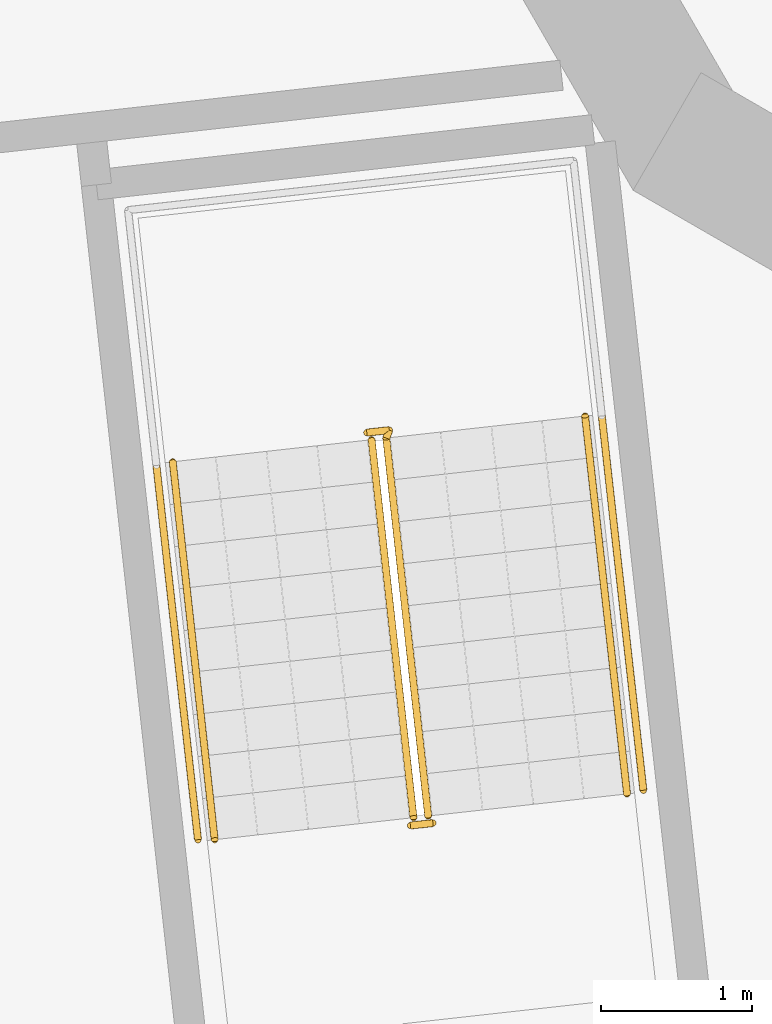
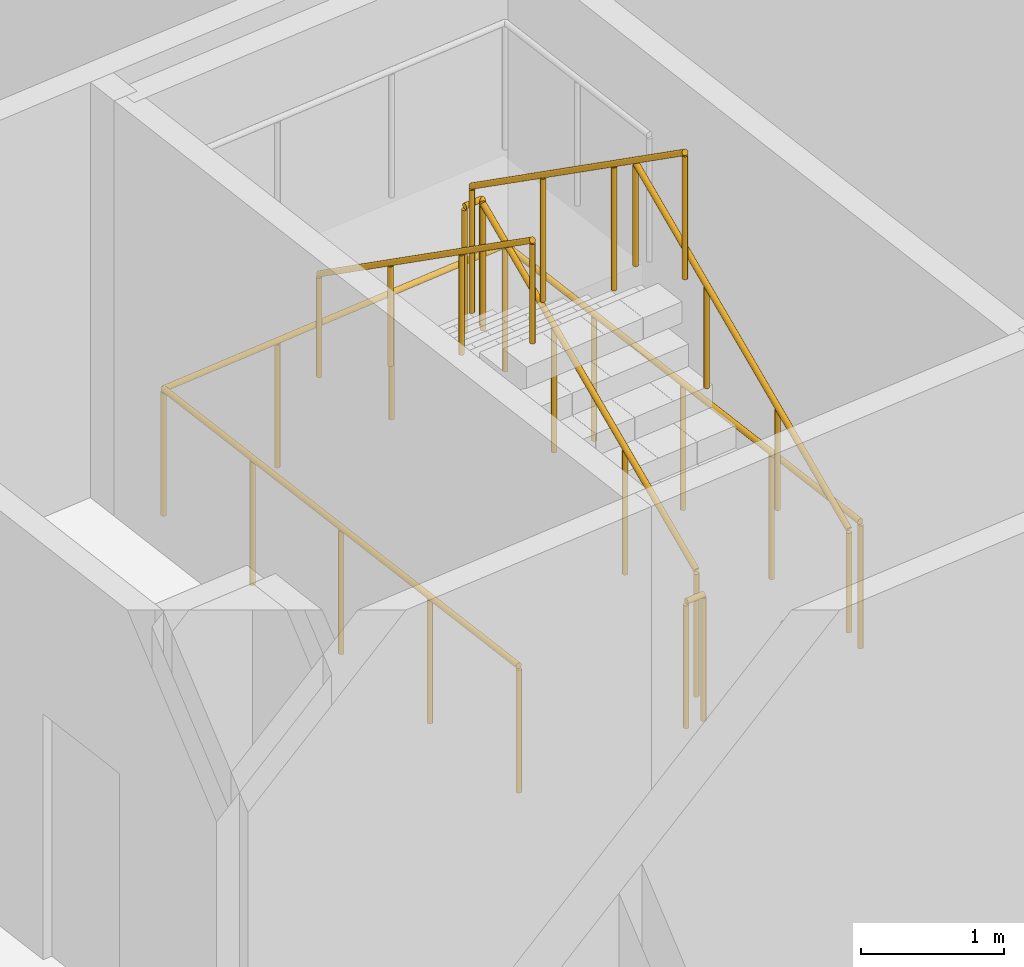
# One storey, part 12 of 20: 6 railings.
"""IFC4 building model written with IfcOpenShell, lengths in metres."""

from ifc_helpers import new_model, si_unit, direction, frame, origin, origin_2d, place, context, subcontext, project, spatial, circle, extrude, material, type_object, element, save


model = new_model("IFC4")

# Units and contexts
model_context = context("Model", 3, precision=1e-05, world=origin(), true_north=direction((0.0, 1.0)))
body_context = subcontext(model_context, "Body", "Model", "MODEL_VIEW")
ifc_project = project(units=[si_unit("LENGTHUNIT", "METRE"), si_unit("AREAUNIT", "SQUARE_METRE"), si_unit("VOLUMEUNIT", "CUBIC_METRE"), si_unit("PLANEANGLEUNIT", "RADIAN"), si_unit("MASSUNIT", "GRAM", prefix="KILO")], contexts=[model_context])

# Site, building, storey
site_placement = place(None, origin())
site = spatial("IfcSite", under=ifc_project, at=site_placement, CompositionType="ELEMENT")
building_placement = place(site_placement, origin())
building = spatial("IfcBuilding", under=site, at=building_placement, Name="Cantera Rosa Tower", CompositionType="ELEMENT")
storey_placement = place(building_placement, frame((0.0, 0.0, 42.5)))
storey = spatial("IfcBuildingStorey", under=building, at=storey_placement, Name="L07", CompositionType="ELEMENT", Elevation=42.5)

# Railings
ifc_material_1 = material(Name="Steel S355J2 (EN 10025-2)", Category="steel")
railing_type_1 = type_object("IfcRailingType", Name="STAIR GUARD 1100", PredefinedType="GUARDRAIL", material=ifc_material_1)
railing_1_placement = place(storey_placement, frame((-10.19677734375, -12.986083984375, 0.18994140625)))
element("IfcRailing", 1, at=railing_1_placement, inside=storey, type_object=railing_type_1, Name="L07 ST-13 stair guard 1", PredefinedType="GUARDRAIL", context=body_context, shape_type="SweptSolid", body=[
    extrude(circle(Radius=0.02392578125, at=origin_2d()), frame((0.0, 0.0, 1.076171875), z_axis=(-0.091310000343, 0.822431337597, 0.561488360321), x_axis=(-0.993893182753, -0.110346460196, 0.0)), (0.0, 0.0, 1.0), 3.04541015625),
    extrude(circle(Radius=0.02392578125, at=origin_2d()), frame((-0.278076171875, 2.504638671875, 2.7861328125), z_axis=(0.360141847183, 0.932897555956, 0.0), x_axis=(-0.932897555956, 0.360141847183, 0.0)), (0.0, 0.0, 1.0), 0.05615234375),
    extrude(circle(Radius=0.02392578125, at=origin_2d()), frame((-0.2578125, 2.55712890625, 2.7861328125), z_axis=(-0.994022053584, -0.109179471459, 0.0), x_axis=(0.109179471459, -0.994022053584, 0.0)), (0.0, 0.0, 1.0), 0.14990234375),
    extrude(circle(Radius=0.02099609375, at=origin_2d()), origin(), (0.0, 0.0, 1.0), 1.052001953125),
    extrude(circle(Radius=0.02099609375, at=origin_2d()), frame((-0.0927734375, 0.8349609375, 0.570068359375)), (0.0, 0.0, 1.0), 1.052001953125),
    extrude(circle(Radius=0.02099609375, at=origin_2d()), frame((-0.185302734375, 1.669677734375, 1.139892578125)), (0.0, 0.0, 1.0), 1.052001953125),
    extrude(circle(Radius=0.02099609375, at=origin_2d()), frame((-0.278076171875, 2.504638671875, 1.7099609375)), (0.0, 0.0, 1.0), 1.052001953125),
    extrude(circle(Radius=0.02099609375, at=origin_2d()), frame((-0.2578125, 2.55712890625, 1.7099609375)), (0.0, 0.0, 1.0), 1.052001953125),
    extrude(circle(Radius=0.02099609375, at=origin_2d()), frame((-0.40673828125, 2.540771484375, 1.7099609375)), (0.0, 0.0, 1.0), 1.052001953125),
])
railing_2_placement = place(storey_placement, frame((-10.572265625, -10.4921875, 2.090087890625)))
element("IfcRailing", 2, at=railing_2_placement, inside=storey, type_object=railing_type_1, Name="L07 ST-13 stair guard 2", PredefinedType="GUARDRAIL", context=body_context, shape_type="SweptSolid", body=[
    extrude(circle(Radius=0.02392578125, at=origin_2d()), frame((0.0, 0.0, 1.076171875), z_axis=(0.091310000343, -0.822431337597, 0.561488360321), x_axis=(0.993893182753, 0.110346460196, 0.0)), (0.0, 0.0, 1.0), 3.04541015625),
    extrude(circle(Radius=0.02099609375, at=origin_2d()), origin(), (0.0, 0.0, 1.0), 1.052001953125),
    extrude(circle(Radius=0.02099609375, at=origin_2d()), frame((0.0927734375, -0.8349609375, 0.570068359375)), (0.0, 0.0, 1.0), 1.052001953125),
    extrude(circle(Radius=0.02099609375, at=origin_2d()), frame((0.185302734375, -1.669677734375, 1.139892578125)), (0.0, 0.0, 1.0), 1.052001953125),
    extrude(circle(Radius=0.02099609375, at=origin_2d()), frame((0.278076171875, -2.504638671875, 1.7099609375)), (0.0, 0.0, 1.0), 1.052001953125),
])
railing_3_placement = place(storey_placement, frame((-10.16552734375, -13.032958984375, 0.0)))
element("IfcRailing", 3, at=railing_3_placement, inside=storey, type_object=railing_type_1, Name="L07 ST-13 stair guard 3", PredefinedType="GUARDRAIL", context=body_context, shape_type="SweptSolid", body=[
    extrude(circle(Radius=0.02392578125, at=origin_2d()), frame((0.0, 0.0, 1.076171875), z_axis=(-0.994041430915, -0.1090029065, 0.0), x_axis=(0.1090029065, -0.994041430915, 0.0)), (0.0, 0.0, 1.0), 0.150146484375),
    extrude(circle(Radius=0.02099609375, at=origin_2d()), origin(), (0.0, 0.0, 1.0), 1.052001953125),
    extrude(circle(Radius=0.02099609375, at=origin_2d()), frame((-0.149169921875, -0.016357421875, 0.0)), (0.0, 0.0, 1.0), 1.052001953125),
])
railing_4_placement = place(storey_placement, frame((-8.77099609375, -12.815673828125, 0.0)))
element("IfcRailing", 4, at=railing_4_placement, inside=storey, type_object=railing_type_1, Name="L07 ST-13 stair guard 4", PredefinedType="GUARDRAIL", context=body_context, shape_type="SweptSolid", body=[
    extrude(circle(Radius=0.02392578125, at=origin_2d()), frame((0.0, 0.0, 1.076171875), z_axis=(-0.110323013767, 0.9938957856, 0.0), x_axis=(-0.9938957856, -0.110323013767, 0.0)), (0.0, 0.0, 1.0), 4.197998046875),
    extrude(circle(Radius=0.02392578125, at=origin_2d()), frame((-0.463134765625, 4.17236328125, 1.076171875), z_axis=(-0.993896759678, -0.110314237986, 0.0), x_axis=(0.110314237986, -0.993896759678, 0.0)), (0.0, 0.0, 1.0), 2.969970703125),
    extrude(circle(Radius=0.02392578125, at=origin_2d()), frame((-3.4150390625, 3.8447265625, 1.076171875), z_axis=(0.110323013767, -0.9938957856, 0.0), x_axis=(0.9938957856, 0.110323013767, 0.0)), (0.0, 0.0, 1.0), 4.197998046875),
    extrude(circle(Radius=0.02099609375, at=origin_2d()), origin(), (0.0, 0.0, 1.0), 1.052001953125),
    extrude(circle(Radius=0.02099609375, at=origin_2d()), frame((-0.11572265625, 1.04296875, 0.0)), (0.0, 0.0, 1.0), 1.052001953125),
    extrude(circle(Radius=0.02099609375, at=origin_2d()), frame((-0.2314453125, 2.086181640625, 0.0)), (0.0, 0.0, 1.0), 1.052001953125),
    extrude(circle(Radius=0.02099609375, at=origin_2d()), frame((-0.347412109375, 3.12939453125, 0.0)), (0.0, 0.0, 1.0), 1.052001953125),
    extrude(circle(Radius=0.02099609375, at=origin_2d()), frame((-0.463134765625, 4.17236328125, 0.0)), (0.0, 0.0, 1.0), 1.052001953125),
    extrude(circle(Radius=0.02099609375, at=origin_2d()), frame((-1.447021484375, 4.063232421875, 0.0)), (0.0, 0.0, 1.0), 1.052001953125),
    extrude(circle(Radius=0.02099609375, at=origin_2d()), frame((-2.43115234375, 3.953857421875, 0.0)), (0.0, 0.0, 1.0), 1.052001953125),
    extrude(circle(Radius=0.02099609375, at=origin_2d()), frame((-3.4150390625, 3.8447265625, 0.0)), (0.0, 0.0, 1.0), 1.052001953125),
    extrude(circle(Radius=0.02099609375, at=origin_2d()), frame((-3.29931640625, 2.8017578125, 0.0)), (0.0, 0.0, 1.0), 1.052001953125),
    extrude(circle(Radius=0.02099609375, at=origin_2d()), frame((-3.18359375, 1.758544921875, 0.0)), (0.0, 0.0, 1.0), 1.052001953125),
    extrude(circle(Radius=0.02099609375, at=origin_2d()), frame((-3.067626953125, 0.71533203125, 0.0)), (0.0, 0.0, 1.0), 1.052001953125),
    extrude(circle(Radius=0.02099609375, at=origin_2d()), frame((-2.951904296875, -0.32763671875, 0.0)), (0.0, 0.0, 1.0), 1.052001953125),
])
ifc_material_2 = material(Name="Steel S355J2 (EN 10025-2)", Category="steel")
railing_type_2 = type_object("IfcRailingType", Name="STAIR HANDRAIL 900", PredefinedType="HANDRAIL", material=ifc_material_2)
railing_5_placement = place(storey_placement, frame((-8.87890625, -12.83984375, 0.18994140625)))
element("IfcRailing", 5, at=railing_5_placement, inside=storey, type_object=railing_type_2, Name="L07 ST-13 stair handrail 1", PredefinedType="HANDRAIL", context=body_context, shape_type="SweptSolid", body=[
    extrude(circle(Radius=0.02392578125, at=origin_2d()), frame((0.0, 0.0, 0.8759765625), z_axis=(-0.091310000343, 0.822431337597, 0.561488360321), x_axis=(-0.993893182753, -0.110346460196, 0.0)), (0.0, 0.0, 1.0), 3.04541015625),
    extrude(circle(Radius=0.02099609375, at=origin_2d()), origin(), (0.0, 0.0, 1.0), 0.851806640625),
    extrude(circle(Radius=0.02099609375, at=origin_2d()), frame((-0.0927734375, 0.8349609375, 0.570068359375)), (0.0, 0.0, 1.0), 0.851806640625),
    extrude(circle(Radius=0.02099609375, at=origin_2d()), frame((-0.185302734375, 1.669677734375, 1.139892578125)), (0.0, 0.0, 1.0), 0.851806640625),
    extrude(circle(Radius=0.02099609375, at=origin_2d()), frame((-0.278076171875, 2.504638671875, 1.7099609375)), (0.0, 0.0, 1.0), 0.851806640625),
])
railing_6_placement = place(storey_placement, frame((-11.89013671875, -10.638427734375, 2.090087890625)))
element("IfcRailing", 6, at=railing_6_placement, inside=storey, type_object=railing_type_2, Name="L07 ST-13 stair handrail 2", PredefinedType="HANDRAIL", context=body_context, shape_type="SweptSolid", body=[
    extrude(circle(Radius=0.02392578125, at=origin_2d()), frame((0.0, 0.0, 0.8759765625), z_axis=(0.091310000343, -0.822431337597, 0.561488360321), x_axis=(0.993893182753, 0.110346460196, 0.0)), (0.0, 0.0, 1.0), 3.04541015625),
    extrude(circle(Radius=0.02099609375, at=origin_2d()), origin(), (0.0, 0.0, 1.0), 0.851806640625),
    extrude(circle(Radius=0.02099609375, at=origin_2d()), frame((0.0927734375, -0.8349609375, 0.570068359375)), (0.0, 0.0, 1.0), 0.851806640625),
    extrude(circle(Radius=0.02099609375, at=origin_2d()), frame((0.185302734375, -1.669677734375, 1.139892578125)), (0.0, 0.0, 1.0), 0.851806640625),
    extrude(circle(Radius=0.02099609375, at=origin_2d()), frame((0.278076171875, -2.504638671875, 1.7099609375)), (0.0, 0.0, 1.0), 0.851806640625),
])

save(model, "model.ifc")
